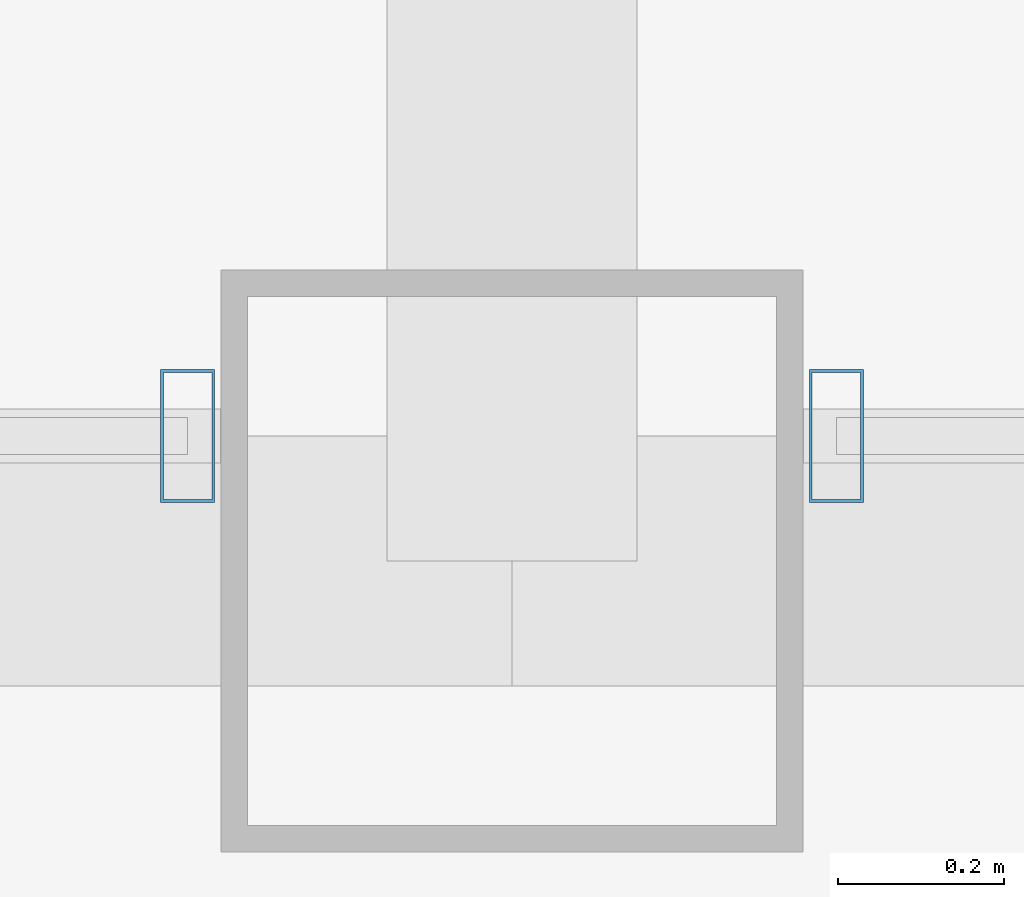
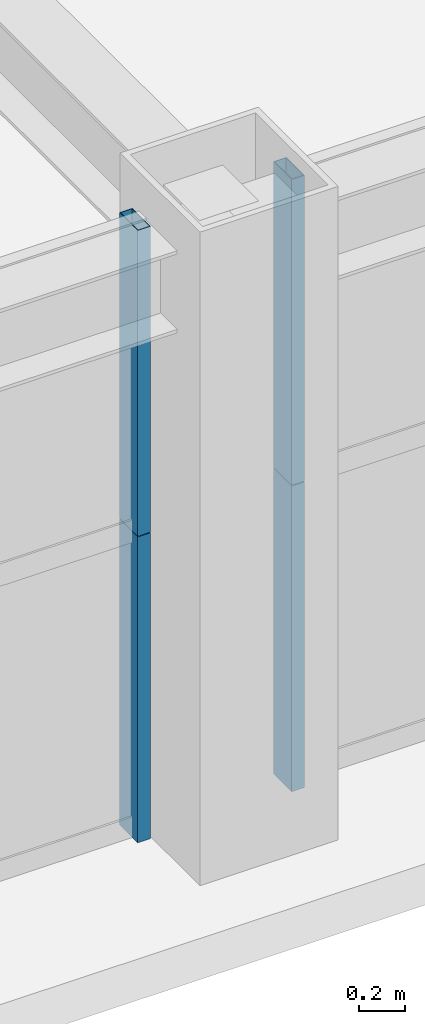
# One storey, part 10 of 37: 4 members, 2 elements without a shape of their own.
"""IFC4 building model written with IfcOpenShell, lengths in metres."""

import ifcopenshell
import ifcopenshell.guid

model = None  # the IFC model being written
_history = None  # IfcOwnerHistory: only IFC2X3 demands one
_inside = {}  # id of a spatial element -> (the spatial element, [elements in it])
_under = {}  # id of a project, library or spatial element -> (it, [spatial elements below it])
_declared = {}  # id of a project -> (the project, [libraries it declares])
_typed = {}  # id of a type object -> (the type object, [elements of that type])
_made_of = {}  # id of a material, layer set ... -> (it, [elements and type objects made of it])


def new_model(schema):
    """Start an empty IFC model of exactly this schema.

    Asked for "IFC4X3", IfcOpenShell would pick the latest addendum, in which some entities
    have other attributes; the version numbers below select the first issue.
    IFC2X3 requires an IfcOwnerHistory on every rooted entity: one is made here for all.
    """
    global model, _history
    if schema == "IFC4X3":
        model = ifcopenshell.file(schema_version=(4, 3, 0, 0))
    else:
        model = ifcopenshell.file(schema=schema)
    _inside.clear()
    _under.clear()
    _declared.clear()
    _typed.clear()
    _made_of.clear()
    _history = None
    if model.schema == "IFC2X3":
        org = make("IfcOrganization", Name="unknown")
        user = make(
            "IfcPersonAndOrganization",
            ThePerson=make("IfcPerson", FamilyName="unknown"),
            TheOrganization=org,
        )
        app = make(
            "IfcApplication",
            ApplicationDeveloper=org,
            Version="unknown",
            ApplicationFullName="unknown",
            ApplicationIdentifier="unknown",
        )
        _history = make(
            "IfcOwnerHistory",
            OwningUser=user,
            OwningApplication=app,
            ChangeAction="ADDED",
            CreationDate=0,
        )
    return model


def make(cls, **values):
    """One entity of the class cls with the attributes given. An attribute that is None is left unset."""
    return model.create_entity(
        cls, **{name: value for name, value in values.items() if value is not None}
    )


def rooted(cls, **values):
    """An entity with a GlobalId (a new one), such as an element, a storey or a relation."""
    return make(cls, GlobalId=ifcopenshell.guid.new(), OwnerHistory=_history, **values)


def si_unit(unit_type, name, prefix=None):
    """IfcSIUnit, for example si_unit("LENGTHUNIT", "METRE", prefix="MILLI")."""
    return make("IfcSIUnit", UnitType=unit_type, Prefix=prefix, Name=name)


def assignment(units):
    """IfcUnitAssignment: the units of a project."""
    return None if units is None else make("IfcUnitAssignment", Units=units)


def point(xyz):
    """IfcCartesianPoint."""
    return None if xyz is None else make("IfcCartesianPoint", Coordinates=xyz)


def direction(xyz):
    """IfcDirection."""
    return None if xyz is None else make("IfcDirection", DirectionRatios=xyz)


def frame(location, z_axis=None, x_axis=None):
    """IfcAxis2Placement3D, a coordinate frame: its origin and axes. An axis left out is left unset."""
    return make(
        "IfcAxis2Placement3D",
        Location=point(location),
        Axis=direction(z_axis),
        RefDirection=direction(x_axis),
    )


def frame_2d(location, x_axis=None):
    """IfcAxis2Placement2D, a coordinate frame in the plane: its origin and x axis."""
    return make(
        "IfcAxis2Placement2D", Location=point(location), RefDirection=direction(x_axis)
    )


def origin():
    """The frame at (0, 0, 0) with its axes left unset."""
    return frame((0.0, 0.0, 0.0))


def origin_2d():
    """The frame at (0, 0) in the plane with its x axis left unset."""
    return frame_2d((0.0, 0.0))


def place(relative_to, where):
    """IfcLocalPlacement: puts the frame where relative to a parent placement (None: the world)."""
    return make(
        "IfcLocalPlacement", PlacementRelTo=relative_to, RelativePlacement=where
    )


def context(
    kind, dimensions, precision=None, world=None, true_north=None, identifier=None
):
    """IfcGeometricRepresentationContext, for example the 3D "Model" context."""
    return make(
        "IfcGeometricRepresentationContext",
        ContextIdentifier=identifier,
        ContextType=kind,
        CoordinateSpaceDimension=dimensions,
        Precision=precision,
        WorldCoordinateSystem=world,
        TrueNorth=true_north,
    )


def subcontext(parent, identifier, kind, view, scale=None):
    """IfcGeometricRepresentationSubContext, for example "Body" below "Model"."""
    return make(
        "IfcGeometricRepresentationSubContext",
        ContextIdentifier=identifier,
        ContextType=kind,
        ParentContext=parent,
        TargetScale=scale,
        TargetView=view,
    )


def project(units=None, contexts=None):
    """IfcProject with its units and contexts."""
    return rooted(
        "IfcProject",
        Name="project",
        RepresentationContexts=contexts,
        UnitsInContext=assignment(units),
    )


def spatial(cls, under=None, at=None, **own):
    """A site, building, storey or space (cls), placed at a placement, below another one or the project."""
    s = rooted(cls, ObjectPlacement=at, **own)
    if under is not None:
        _under.setdefault(under.id(), (under, []))[1].append(s)
    return s


def profile(cls, at=None, kind="AREA", **sizes):
    """A parametric profile (cls). Its sizes go by their IFC names, for example OverallWidth=200.0."""
    return make(cls, ProfileType=kind, Position=at, **sizes)


def hollow_rectangle(**sizes):
    """IfcRectangleHollowProfileDef."""
    return profile("IfcRectangleHollowProfileDef", **sizes)


def extrude(swept, where, along, depth):
    """IfcExtrudedAreaSolid: the profile swept, set in the frame where, extruded along a direction by depth."""
    return make(
        "IfcExtrudedAreaSolid",
        SweptArea=swept,
        Position=where,
        ExtrudedDirection=direction(along),
        Depth=depth,
    )


def shape(context_of_items, identifier, shape_type, items):
    """IfcShapeRepresentation: the items that make up one representation, for example the "Body"."""
    return make(
        "IfcShapeRepresentation",
        ContextOfItems=context_of_items,
        RepresentationIdentifier=identifier,
        RepresentationType=shape_type,
        Items=items,
    )


def source(mapping_origin, context_of_items, identifier, shape_type, items):
    """IfcRepresentationMap: a shape defined once, which mapped items show again and again."""
    return make(
        "IfcRepresentationMap",
        MappingOrigin=mapping_origin,
        MappedRepresentation=shape(context_of_items, identifier, shape_type, items),
    )


def transform(
    local_origin,
    x_axis=None,
    y_axis=None,
    z_axis=None,
    scale=None,
    scale2=None,
    scale3=None,
    uniform=True,
):
    """IfcCartesianTransformationOperator3D, or its non-uniform kind. x_axis, y_axis, z_axis: its Axis1, 2, 3."""
    if uniform:
        return make(
            "IfcCartesianTransformationOperator3D",
            Axis1=direction(x_axis),
            Axis2=direction(y_axis),
            LocalOrigin=point(local_origin),
            Scale=scale,
            Axis3=direction(z_axis),
        )
    return make(
        "IfcCartesianTransformationOperator3DnonUniform",
        Axis1=direction(x_axis),
        Axis2=direction(y_axis),
        LocalOrigin=point(local_origin),
        Scale=scale,
        Axis3=direction(z_axis),
        Scale2=scale2,
        Scale3=scale3,
    )


def mapped(mapping_source, mapping_target):
    """IfcMappedItem: shows the shape of a source again, moved by a transform."""
    return make(
        "IfcMappedItem", MappingSource=mapping_source, MappingTarget=mapping_target
    )


def material(Name=None, Category=None):
    """IfcMaterial."""
    return make("IfcMaterial", Name=Name, Category=Category)


def layer(
    of_material, thickness, ventilated=None, Name=None, Category=None, Priority=None
):
    """IfcMaterialLayer: one layer of a wall or slab, of a material (None: an air gap)."""
    return make(
        "IfcMaterialLayer",
        Material=of_material,
        LayerThickness=thickness,
        IsVentilated=ventilated,
        Name=Name,
        Category=Category,
        Priority=Priority,
    )


def layer_set(layers, Name=None):
    """IfcMaterialLayerSet."""
    return make("IfcMaterialLayerSet", MaterialLayers=layers, LayerSetName=Name)


def material_profile(
    of_material, cross_section, Name=None, Category=None, Priority=None
):
    """IfcMaterialProfile: a cross section and its material."""
    return make(
        "IfcMaterialProfile",
        Name=Name,
        Material=of_material,
        Profile=cross_section,
        Priority=Priority,
        Category=Category,
    )


def profile_set(profiles, Name=None, composite=None):
    """IfcMaterialProfileSet."""
    return make(
        "IfcMaterialProfileSet",
        Name=Name,
        MaterialProfiles=profiles,
        CompositeProfile=composite,
    )


def made_of(thing, what):
    """Note that an element or type object is made of a material, layer set ...; save() writes the relation."""
    if what is not None:
        _made_of.setdefault(what.id(), (what, []))[1].append(thing)
    return thing


def type_object(cls, material=None, **own):
    """A type object (cls), such as IfcWallType, which elements share."""
    return made_of(rooted(cls, **own), material)


def element(
    cls,
    number,
    at=None,
    inside=None,
    cuts=None,
    type_object=None,
    material=None,
    context=None,
    identifier="Body",
    shape_type=None,
    held_by="IfcProductDefinitionShape",
    body=None,
    shapes=None,
    **own,
):
    """One element of the class cls, such as IfcWall. Its Tag is "e" and its number.

    at: its placement. inside: the storey or other place that contains it. cuts: it is an
    opening in that element (IfcRelVoidsElement). A single representation is given by context,
    identifier, shape_type and body (its items); several are given by shapes. held_by: the class
    of the entity that holds the representations. save() writes the other relations.
    """
    e = rooted(cls, Tag="e%d" % number, ObjectPlacement=at, **own)
    if body is not None:
        shapes = [shape(context, identifier, shape_type, body)]
    if shapes is not None:
        e.Representation = make(held_by, Representations=shapes)
    if inside is not None:
        _inside.setdefault(inside.id(), (inside, []))[1].append(e)
    if cuts is not None:
        rooted(
            "IfcRelVoidsElement", RelatingBuildingElement=cuts, RelatedOpeningElement=e
        )
    if type_object is not None:
        _typed.setdefault(type_object.id(), (type_object, []))[1].append(e)
    return made_of(e, material)


def aggregate(whole, parts):
    """IfcRelAggregates: a whole, such as a stair, and the parts it consists of."""
    return rooted("IfcRelAggregates", RelatingObject=whole, RelatedObjects=parts)


def save(model, path):
    """Write the relations noted so far, then the file.

    IfcRelAggregates (storeys below a building ...), IfcRelContainedInSpatialStructure (elements
    in a storey), IfcRelDefinesByType, IfcRelAssociatesMaterial and IfcRelDeclares: one each for
    every whole, place, type object, material and project.
    """
    for whole, parts in _under.values():
        aggregate(whole, parts)
    for where, things in _inside.values():
        rooted(
            "IfcRelContainedInSpatialStructure",
            RelatedElements=things,
            RelatingStructure=where,
        )
    for kind, things in _typed.values():
        rooted("IfcRelDefinesByType", RelatedObjects=things, RelatingType=kind)
    for what, things in _made_of.values():
        rooted("IfcRelAssociatesMaterial", RelatedObjects=things, RelatingMaterial=what)
    for by, libraries in _declared.values():
        rooted("IfcRelDeclares", RelatingContext=by, RelatedDefinitions=libraries)
    model.write(path)


model = new_model("IFC4")

# Units and contexts
model_context = context("Model", 3, precision=1e-05, world=origin(), true_north=direction((0.0, 1.0)))
body_context = subcontext(model_context, "Body", "Model", "MODEL_VIEW")
ifc_project = project(units=[si_unit("LENGTHUNIT", "METRE"), si_unit("AREAUNIT", "SQUARE_METRE"), si_unit("VOLUMEUNIT", "CUBIC_METRE"), si_unit("PLANEANGLEUNIT", "RADIAN"), si_unit("MASSUNIT", "GRAM", prefix="KILO"), si_unit("THERMODYNAMICTEMPERATUREUNIT", "KELVIN"), si_unit("POWERUNIT", "WATT")], contexts=[model_context])

# Site, building, storey
site_placement = place(None, origin())
site = spatial("IfcSite", under=ifc_project, at=site_placement, CompositionType="ELEMENT")
building_placement = place(site_placement, origin())
building = spatial("IfcBuilding", under=site, at=building_placement, Name="Yuzanri Waterfront Tower", CompositionType="ELEMENT")
storey_placement = place(building_placement, frame((0.0, 0.0, 275.10009765625)))
storey = spatial("IfcBuildingStorey", under=building, at=storey_placement, Name="L73", CompositionType="ELEMENT", Elevation=275.10009765625)

# Curtain wall, members
ifc_material_1 = material(Name="Anodized Architectural Bronze", Category="metal")
ifc_layer = layer(ifc_material_1, 0.159912109375)
ifc_layer_set = layer_set([ifc_layer], Name="Anodized Architectural Bronze")
curtain_wall_type = type_object("IfcCurtainWallType", Name="Anodized Bronze Mid-Rise Residential Acoustic Unitized Curtain Wall 7200", PredefinedType="NOTDEFINED", material=ifc_layer_set)
curtain_wall_1_placement = place(storey_placement, origin())
curtain_wall_1 = element("IfcCurtainWall", 1, at=curtain_wall_1_placement, inside=storey, type_object=curtain_wall_type, Name="L73 Curtain Wall CW-L73-SL", PredefinedType="NOTDEFINED")
ifc_material_2 = material(Name="Anodized Architectural Bronze", Category="metal")
ifc_material_profile = material_profile(ifc_material_2, hollow_rectangle(XDim=0.06494140625, YDim=0.159912109375, WallThickness=0.00341796875, at=origin_2d()), Name="CWM 65x160")
ifc_profile_set = profile_set([ifc_material_profile], Name="Anodized Architectural Bronze")
member_type = type_object("IfcMemberType", Name="Anodized Bronze Upper-Zone Curtain-Wall Mullion 65x160", PredefinedType="MULLION", material=ifc_profile_set)
shared_shape = source(origin(), body_context, "Body", "SweptSolid", [
    extrude(hollow_rectangle(XDim=0.06494140625, YDim=0.159912109375, WallThickness=0.00341796875, at=origin_2d()), origin(), (0.0, 0.0, 1.0), 1.637939453125),
])
member_1_placement = place(storey_placement, frame((36.610107421875, 5.35009765625, 0.0), z_axis=(0.0, 0.0, 1.0), x_axis=(1.0, 0.0, 0.0)))
member_1 = element("IfcMember", 2, at=member_1_placement, type_object=member_type, Name="CW-L73-SL Lower Mullion 02", PredefinedType="MULLION", context=body_context, shape_type="MappedRepresentation", body=[
    mapped(shared_shape, transform((0.0, 0.0, 0.0), scale=1.0)),
])
member_2_placement = place(storey_placement, frame((36.610107421875, 5.35009765625, 1.641845703125), z_axis=(0.0, 0.0, 1.0), x_axis=(1.0, 0.0, 0.0)))
member_2 = element("IfcMember", 3, at=member_2_placement, type_object=member_type, Name="CW-L73-SL Upper Mullion 02", PredefinedType="MULLION", context=body_context, shape_type="MappedRepresentation", body=[
    mapped(shared_shape, transform((0.0, 0.0, 0.0), scale=1.0)),
])
aggregate(curtain_wall_1, [member_1, member_2])

curtain_wall_2_placement = place(storey_placement, origin())
curtain_wall_2 = element("IfcCurtainWall", 4, at=curtain_wall_2_placement, inside=storey, type_object=curtain_wall_type, Name="L73 Curtain Wall CW-L73-SR", PredefinedType="NOTDEFINED")
member_3_placement = place(storey_placement, frame((37.389892578125, 5.35009765625, 0.0), z_axis=(0.0, 0.0, 1.0), x_axis=(1.0, 0.0, 0.0)))
member_3 = element("IfcMember", 5, at=member_3_placement, type_object=member_type, Name="CW-L73-SR Lower Mullion 00", PredefinedType="MULLION", context=body_context, shape_type="MappedRepresentation", body=[
    mapped(shared_shape, transform((0.0, 0.0, 0.0), scale=1.0)),
])
member_4_placement = place(storey_placement, frame((37.389892578125, 5.35009765625, 1.641845703125), z_axis=(0.0, 0.0, 1.0), x_axis=(1.0, 0.0, 0.0)))
member_4 = element("IfcMember", 6, at=member_4_placement, type_object=member_type, Name="CW-L73-SR Upper Mullion 00", PredefinedType="MULLION", context=body_context, shape_type="MappedRepresentation", body=[
    mapped(shared_shape, transform((0.0, 0.0, 0.0), scale=1.0)),
])
aggregate(curtain_wall_2, [member_3, member_4])

save(model, "model.ifc")
